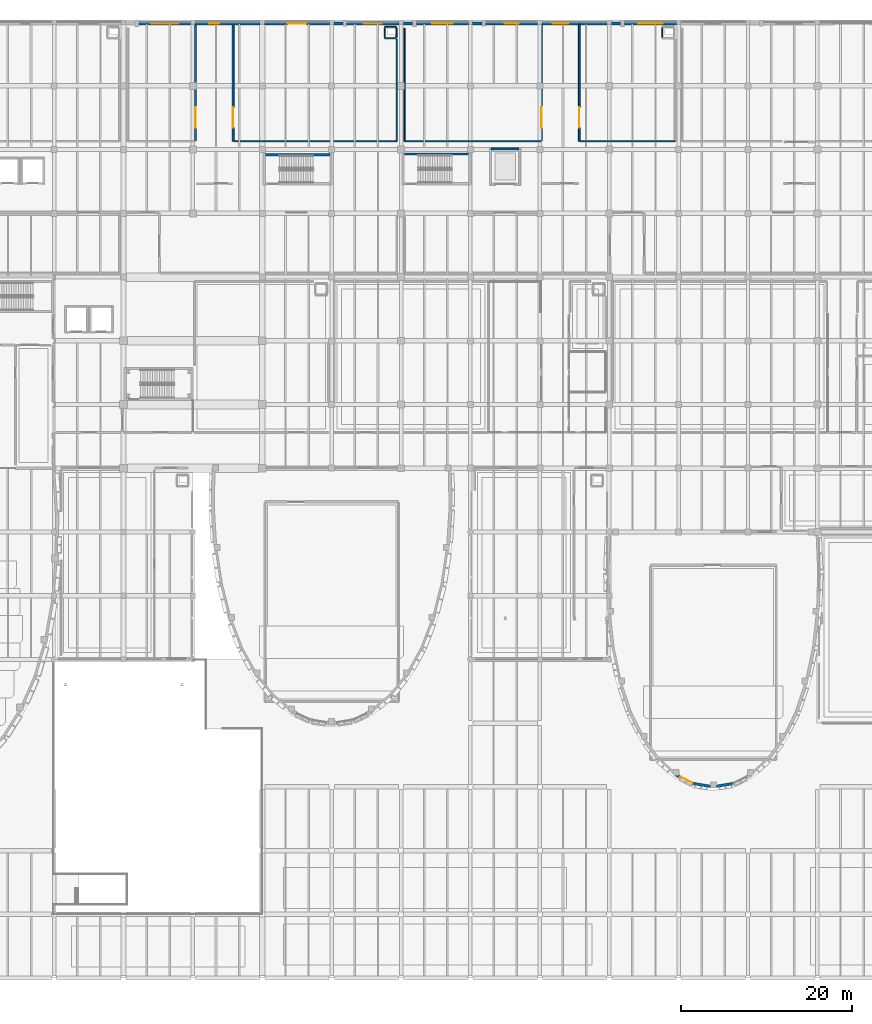
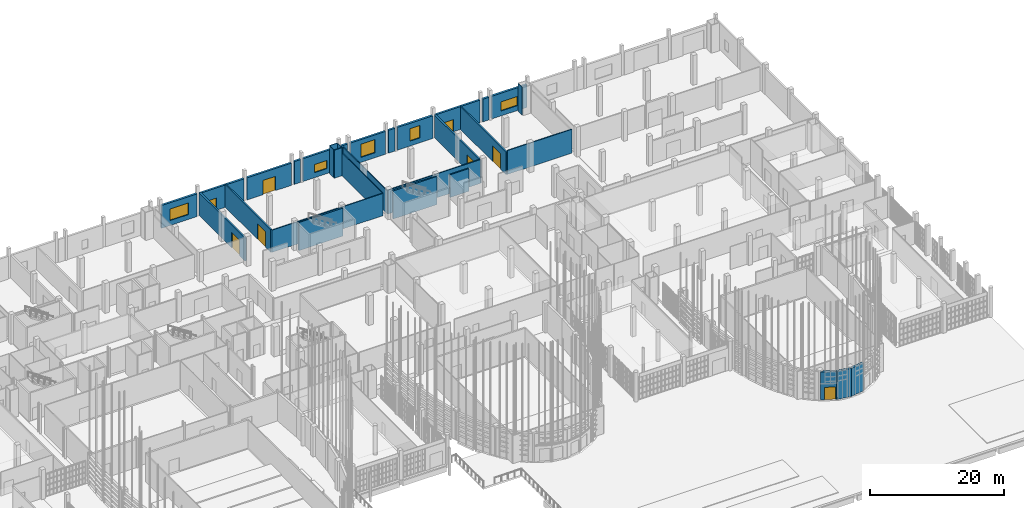
# One storey, part 357 of 372: 32 walls, 8 doors, 5 windows, 13 openings.
"""IFC4 building model written with IfcOpenShell, lengths in metres."""

from ifc_helpers import new_model, si_unit, direction, frame, frame_2d, origin, place, context, subcontext, project, spatial, rectangle, extrude, material, layer, layer_set, type_object, element, fill, save


model = new_model("IFC4")

# Units and contexts
model_context = context("Model", 3, precision=1e-05, world=origin(), true_north=direction((0.0, 1.0)))
body_context = subcontext(model_context, "Body", "Model", "MODEL_VIEW")
ifc_project = project(units=[si_unit("LENGTHUNIT", "METRE"), si_unit("AREAUNIT", "SQUARE_METRE"), si_unit("VOLUMEUNIT", "CUBIC_METRE"), si_unit("PLANEANGLEUNIT", "RADIAN"), si_unit("MASSUNIT", "GRAM", prefix="KILO")], contexts=[model_context])

# Site, building, storey
site_placement = place(None, origin())
site = spatial("IfcSite", under=ifc_project, at=site_placement, CompositionType="ELEMENT")
building_placement = place(site_placement, origin())
building = spatial("IfcBuilding", under=site, at=building_placement, Name="Kaelora Sail Theatre", CompositionType="ELEMENT")
storey_placement = place(building_placement, origin())
storey = spatial("IfcBuildingStorey", under=building, at=storey_placement, Name="L00", CompositionType="ELEMENT", Elevation=0.0)

# Walls
ifc_material_1 = material(Name="Concrete C40/50", Category="concrete")
ifc_layer_1 = layer(ifc_material_1, 0.25)
ifc_layer_set_1 = layer_set([ifc_layer_1], Name="Concrete C40/50")
wall_type_1 = type_object("IfcWallType", Name="ARC-WL-CW-250", PredefinedType="SHEAR", material=ifc_layer_set_1)
wall_1_placement = place(storey_placement, frame((82.85498046875, 97.625, 0.0), z_axis=(0.0, 0.0, 1.0), x_axis=(1.0, 0.0, 0.0)))
element("IfcWall", 1, at=wall_1_placement, inside=storey, type_object=wall_type_1, Name="Stair shaft ST-K3 wall L00-N", PredefinedType="SHEAR", context=body_context, shape_type="SweptSolid", body=[
    extrude(rectangle(XDim=7.5400390625, YDim=0.25, at=frame_2d((3.77001953125, 0.0))), origin(), (0.0, 0.0, 1.0), 5.10498046875),
])
wall_2_placement = place(storey_placement, frame((99.10498046875, 97.72509765625, 0.0), z_axis=(0.0, 0.0, 1.0), x_axis=(1.0, 0.0, 0.0)))
element("IfcWall", 2, at=wall_2_placement, inside=storey, type_object=wall_type_1, Name="Stair shaft ST-K4 wall L00-N", PredefinedType="SHEAR", context=body_context, shape_type="SweptSolid", body=[
    extrude(rectangle(XDim=7.489990234375, YDim=0.25, at=frame_2d((3.7451171875, 0.0))), origin(), (0.0, 0.0, 1.0), 5.10498046875),
])
ifc_material_2 = material(Name="Concrete C45/55", Category="concrete")
ifc_layer_2 = layer(ifc_material_2, 0.320068359375)
ifc_layer_set_2 = layer_set([ifc_layer_2], Name="Concrete C45/55")
wall_type_2 = type_object("IfcWallType", Name="ARC-WL-DW-320", PredefinedType="SHEAR", material=ifc_layer_set_2)
for number, where, z_axis, x_axis, name in (
    (3, (137.398193359375, 24.186279296875, 0.0), (0.0, 0.0, 1.0), (-0.986992640534, -0.160765442589, 0.0), "Black-Box and Experimental Sail Wing curved drum acoustic wall L00 chord 10"),
    (4, (135.14990234375, 23.820068359375, 0.0), (0.0, 0.0, 1.0), (-0.986992640534, 0.160765442589, 0.0), "Black-Box and Experimental Sail Wing curved drum acoustic wall L00 chord 11"),
):
    element("IfcWall", number, at=place(storey_placement, frame(where, z_axis=z_axis, x_axis=x_axis)), inside=storey, type_object=wall_type_2, Name=name, PredefinedType="SHEAR", context=body_context, shape_type="SweptSolid", body=[
        extrude(rectangle(XDim=2.27783203125, YDim=0.320068359375, at=frame_2d((1.138916015625, 0.0))), origin(), (0.0, 0.0, 1.0), 5.10498046875),
    ])

# Wall, opening, door
wall_3_placement = place(storey_placement, frame((132.901611328125, 24.186279296875, 0.0), z_axis=(0.0, 0.0, 1.0), x_axis=(-0.893337813511, 0.449385748495, 0.0)))
wall_3 = element("IfcWall", 5, at=wall_3_placement, inside=storey, type_object=wall_type_2, Name="Black-Box and Experimental Sail Wing curved drum acoustic wall L00 chord 12", PredefinedType="SHEAR", context=body_context, shape_type="SweptSolid", body=[
    extrude(rectangle(XDim=2.42626953125, YDim=0.320068359375, at=frame_2d((1.213134765625, 0.0))), origin(), (0.0, 0.0, 1.0), 5.10498046875),
])
opening_1_placement = place(wall_3_placement, frame((0.179931640625, 0.0, 0.0)))
opening_1 = element("IfcOpeningElement", 6, at=opening_1_placement, cuts=wall_3, Name="Opening ED-05", PredefinedType="OPENING", context=body_context, shape_type="SweptSolid", body=[
    extrude(rectangle(XDim=1.60009765625, YDim=2.300048828125, at=frame_2d((0.800048828125, 1.14990234375))), frame((0.0, 0.170156, 0.0), z_axis=(0.0, -1.0, 0.0), x_axis=(1.0, 0.0, 0.0)), (0.0, 0.0, 1.0), 0.340068),
])
ifc_material_3 = material(Name="Terrace glazed double swing door", Category="aluminium")
door_type_1 = type_object("IfcDoorType", Name="ARC-DR-ED-05", OperationType="NOTDEFINED", PredefinedType="DOOR", material=ifc_material_3)
door_1_placement = place(opening_1_placement, origin())
door_1 = element("IfcDoor", 7, at=door_1_placement, inside=storey, type_object=door_type_1, Name="Black-Box and Experimental Sail Wing plaza final exit door C12", OperationType="DOUBLE_DOOR_SINGLE_SWING", OverallHeight=2.300048828125, OverallWidth=1.60009765625, PredefinedType="DOOR", context=body_context, shape_type="SweptSolid", body=[
    extrude(rectangle(XDim=1.60009765625, YDim=2.300048828125, at=frame_2d((0.800048828125, 1.14990234375))), frame((0.0, 0.02490234375, 0.0), z_axis=(0.0, -1.0, 0.0), x_axis=(1.0, 0.0, 0.0)), (0.0, 0.0, 1.0), 0.050048828125),
])
fill(opening_1, door_1)

# Wall, opening, window
ifc_material_4 = material(Name="Concrete C45/55", Category="concrete")
ifc_layer_3 = layer(ifc_material_4, 0.35009765625)
ifc_layer_set_3 = layer_set([ifc_layer_3], Name="Concrete C45/55")
wall_type_3 = type_object("IfcWallType", Name="ARC-WL-EW-350", PredefinedType="SOLIDWALL", material=ifc_layer_set_3)
wall_4_placement = place(storey_placement, frame((68.080078125, 112.919921875, 0.0), z_axis=(0.0, 0.0, 1.0), x_axis=(1.0, 0.0, 0.0)))
wall_4 = element("IfcWall", 8, at=wall_4_placement, inside=storey, type_object=wall_type_3, Name="North Conservatory/Production Facade Wall L00 B09", PredefinedType="SOLIDWALL", context=body_context, shape_type="SweptSolid", body=[
    extrude(rectangle(XDim=6.06494140625, YDim=0.35009765625, at=frame_2d((3.032470703125, 0.0))), origin(), (0.0, 0.0, 1.0), 4.136962890625),
])
opening_2_placement = place(wall_4_placement, frame((1.431884765625, 0.0, 0.89990234375)))
opening_2 = element("IfcOpeningElement", 9, at=opening_2_placement, cuts=wall_4, Name="Opening W-27", PredefinedType="OPENING", context=body_context, shape_type="SweptSolid", body=[
    extrude(rectangle(XDim=3.199951171875, YDim=2.10009765625, at=frame_2d((1.60009765625, 1.050048828125))), frame((0.0, 0.185049, 0.0), z_axis=(0.0, -1.0, 0.0), x_axis=(1.0, 0.0, 0.0)), (0.0, 0.0, 1.0), 0.370098),
])
ifc_material_5 = material(Name="Thermally broken aluminium and low-E double glazing", Category="aluminium")
window_type_1 = type_object("IfcWindowType", Name="ARC-WIN-W-27", PartitioningType="SINGLE_PANEL", PredefinedType="WINDOW", material=ifc_material_5)
window_1_placement = place(opening_2_placement, origin())
window_1 = element("IfcWindow", 10, at=window_1_placement, inside=storey, type_object=window_type_1, Name="North facade window L00 B09", OverallHeight=2.10009765625, OverallWidth=3.199951171875, PartitioningType="SINGLE_PANEL", PredefinedType="WINDOW", context=body_context, shape_type="SweptSolid", body=[
    extrude(rectangle(XDim=3.199951171875, YDim=2.10009765625, at=frame_2d((1.60009765625, 1.050048828125))), frame((0.0, 0.030029296875, 0.0), z_axis=(0.0, -1.0, 0.0), x_axis=(1.0, 0.0, 0.0)), (0.0, 0.0, 1.0), 0.06005859375),
])
fill(opening_2, window_1)

# Wall, opening, door
wall_5_placement = place(storey_placement, frame((74.655029296875, 112.919921875, 0.0), z_axis=(0.0, 0.0, 1.0), x_axis=(1.0, 0.0, 0.0)))
wall_5 = element("IfcWall", 11, at=wall_5_placement, inside=storey, type_object=wall_type_3, Name="North Conservatory/Production Facade Wall L00 B10", PredefinedType="SOLIDWALL", context=body_context, shape_type="SweptSolid", body=[
    extrude(rectangle(XDim=7.590087890625, YDim=0.35009765625, at=frame_2d((3.794921875, 0.0))), origin(), (0.0, 0.0, 1.0), 4.037109375),
])
opening_3_placement = place(wall_5_placement, frame((1.64501953125, 0.0, 0.0)))
opening_3 = element("IfcOpeningElement", 12, at=opening_3_placement, cuts=wall_5, Name="Opening ED-04", PredefinedType="OPENING", context=body_context, shape_type="SweptSolid", body=[
    extrude(rectangle(XDim=1.199951171875, YDim=2.199951171875, at=frame_2d((0.60009765625, 1.10009765625))), frame((0.0, 0.185049, 0.0), z_axis=(0.0, -1.0, 0.0), x_axis=(1.0, 0.0, 0.0)), (0.0, 0.0, 1.0), 0.370098),
])
ifc_material_6 = material(Name="Terrace glazed single swing door", Category="aluminium")
door_type_2 = type_object("IfcDoorType", Name="ARC-DR-ED-04", OperationType="NOTDEFINED", PredefinedType="DOOR", material=ifc_material_6)
door_2_placement = place(opening_3_placement, origin())
door_2 = element("IfcDoor", 13, at=door_2_placement, inside=storey, type_object=door_type_2, Name="North protected final exit door B10", OperationType="SINGLE_SWING_RIGHT", OverallHeight=2.199951171875, OverallWidth=1.199951171875, PredefinedType="DOOR", context=body_context, shape_type="SweptSolid", body=[
    extrude(rectangle(XDim=1.199951171875, YDim=2.199951171875, at=frame_2d((0.60009765625, 1.10009765625))), frame((0.0, 0.02490234375, 0.0), z_axis=(0.0, -1.0, 0.0), x_axis=(1.0, 0.0, 0.0)), (0.0, 0.0, 1.0), 0.050048828125),
])
fill(opening_3, door_2)

wall_6_placement = place(storey_placement, frame((82.7548828125, 112.919921875, 0.0), z_axis=(0.0, 0.0, 1.0), x_axis=(1.0, 0.0, 0.0)))
wall_6 = element("IfcWall", 14, at=wall_6_placement, inside=storey, type_object=wall_type_3, Name="North Conservatory/Production Facade Wall L00 B11", PredefinedType="SOLIDWALL", context=body_context, shape_type="SweptSolid", body=[
    extrude(rectangle(XDim=7.590087890625, YDim=0.35009765625, at=frame_2d((3.794921875, 0.0))), origin(), (0.0, 0.0, 1.0), 4.037109375),
])
opening_4_placement = place(wall_6_placement, frame((2.695068359375, 0.0, 0.0)))
opening_4 = element("IfcOpeningElement", 15, at=opening_4_placement, cuts=wall_6, Name="Opening ED-01", PredefinedType="OPENING", context=body_context, shape_type="SweptSolid", body=[
    extrude(rectangle(XDim=2.199951171875, YDim=2.60009765625, at=frame_2d((1.10009765625, 1.300048828125))), frame((0.0, 0.185049, 0.0), z_axis=(0.0, -1.0, 0.0), x_axis=(1.0, 0.0, 0.0)), (0.0, 0.0, 1.0), 0.370098),
])
ifc_material_7 = material(Name="Aluminium glazed double plaza entrance door", Category="aluminium")
door_type_3 = type_object("IfcDoorType", Name="ARC-DR-ED-01", OperationType="NOTDEFINED", PredefinedType="DOOR", material=ifc_material_7)
door_3_placement = place(opening_4_placement, origin())
door_3 = element("IfcDoor", 16, at=door_3_placement, inside=storey, type_object=door_type_3, Name="North protected final exit door B11", OperationType="DOUBLE_DOOR_SINGLE_SWING", OverallHeight=2.60009765625, OverallWidth=2.199951171875, PredefinedType="DOOR", context=body_context, shape_type="SweptSolid", body=[
    extrude(rectangle(XDim=2.199951171875, YDim=2.60009765625, at=frame_2d((1.10009765625, 1.300048828125))), frame((0.0, 0.02490234375, 0.0), z_axis=(0.0, -1.0, 0.0), x_axis=(1.0, 0.0, 0.0)), (0.0, 0.0, 1.0), 0.050048828125),
])
fill(opening_4, door_3)

# Wall, opening, window
wall_7_placement = place(storey_placement, frame((92.35498046875, 112.919921875, 0.0), z_axis=(0.0, 0.0, 1.0), x_axis=(1.0, 0.0, 0.0)))
wall_7 = element("IfcWall", 17, at=wall_7_placement, inside=storey, type_object=wall_type_3, Name="North Conservatory/Production Facade Wall L00 B12", PredefinedType="SOLIDWALL", context=body_context, shape_type="SweptSolid", body=[
    extrude(rectangle(XDim=6.090087890625, YDim=0.35009765625, at=frame_2d((3.044921875, 0.0))), origin(), (0.0, 0.0, 1.0), 4.136962890625),
])
opening_5_placement = place(wall_7_placement, frame((1.9951171875, 0.0, 0.89990234375)))
opening_5 = element("IfcOpeningElement", 18, at=opening_5_placement, cuts=wall_7, Name="Opening W-06", PredefinedType="OPENING", context=body_context, shape_type="SweptSolid", body=[
    extrude(rectangle(XDim=2.10009765625, YDim=1.5, at=frame_2d((1.050048828125, 0.75))), frame((0.0, 0.185049, 0.0), z_axis=(0.0, -1.0, 0.0), x_axis=(1.0, 0.0, 0.0)), (0.0, 0.0, 1.0), 0.370098),
])
ifc_material_8 = material(Name="Thermally broken aluminium and low-E double glazing", Category="aluminium")
window_type_2 = type_object("IfcWindowType", Name="ARC-WIN-W-06", PartitioningType="SINGLE_PANEL", PredefinedType="WINDOW", material=ifc_material_8)
window_2_placement = place(opening_5_placement, origin())
window_2 = element("IfcWindow", 19, at=window_2_placement, inside=storey, type_object=window_type_2, Name="North facade window L00 B12", OverallHeight=1.5, OverallWidth=2.10009765625, PartitioningType="SINGLE_PANEL", PredefinedType="WINDOW", context=body_context, shape_type="SweptSolid", body=[
    extrude(rectangle(XDim=2.10009765625, YDim=1.5, at=frame_2d((1.050048828125, 0.75))), frame((0.0, 0.030029296875, 0.0), z_axis=(0.0, -1.0, 0.0), x_axis=(1.0, 0.0, 0.0)), (0.0, 0.0, 1.0), 0.06005859375),
])
fill(opening_5, window_2)

# Wall
wall_8_placement = place(storey_placement, frame((90.85498046875, 112.919921875, 0.0), z_axis=(0.0, 0.0, 1.0), x_axis=(1.0, 0.0, 0.0)))
element("IfcWall", 20, at=wall_8_placement, inside=storey, type_object=wall_type_3, Name="North Facade Pilaster Spandrel Pier L00 B12", PredefinedType="SOLIDWALL", context=body_context, shape_type="SweptSolid", body=[
    extrude(rectangle(XDim=1.090087890625, YDim=0.35009765625, at=frame_2d((0.544921875, 0.0))), origin(), (0.0, 0.0, 1.0), 4.136962890625),
])

# Wall, opening, window
wall_9_placement = place(storey_placement, frame((100.47998046875, 112.919921875, 0.0), z_axis=(0.0, 0.0, 1.0), x_axis=(1.0, 0.0, 0.0)))
wall_9 = element("IfcWall", 21, at=wall_9_placement, inside=storey, type_object=wall_type_3, Name="North Conservatory/Production Facade Wall L00 B13", PredefinedType="SOLIDWALL", context=body_context, shape_type="SweptSolid", body=[
    extrude(rectangle(XDim=6.06494140625, YDim=0.35009765625, at=frame_2d((3.032470703125, 0.0))), origin(), (0.0, 0.0, 1.0), 4.136962890625),
])
opening_6_placement = place(wall_9_placement, frame((1.83203125, 0.0, 0.89990234375)))
opening_6 = element("IfcOpeningElement", 22, at=opening_6_placement, cuts=wall_9, Name="Opening W-09", PredefinedType="OPENING", context=body_context, shape_type="SweptSolid", body=[
    extrude(rectangle(XDim=2.39990234375, YDim=2.39990234375, at=frame_2d((1.199951171875, 1.199951171875))), frame((0.0, 0.185049, 0.0), z_axis=(0.0, -1.0, 0.0), x_axis=(1.0, 0.0, 0.0)), (0.0, 0.0, 1.0), 0.370098),
])
ifc_material_9 = material(Name="Thermally broken aluminium and low-E double glazing", Category="aluminium")
window_type_3 = type_object("IfcWindowType", Name="ARC-WIN-W-09", PartitioningType="SINGLE_PANEL", PredefinedType="WINDOW", material=ifc_material_9)
window_3_placement = place(opening_6_placement, origin())
window_3 = element("IfcWindow", 23, at=window_3_placement, inside=storey, type_object=window_type_3, Name="North facade window L00 B13", OverallHeight=2.39990234375, OverallWidth=2.39990234375, PartitioningType="SINGLE_PANEL", PredefinedType="WINDOW", context=body_context, shape_type="SweptSolid", body=[
    extrude(rectangle(XDim=2.39990234375, YDim=2.39990234375, at=frame_2d((1.199951171875, 1.199951171875))), frame((0.0, 0.030029296875, 0.0), z_axis=(0.0, -1.0, 0.0), x_axis=(1.0, 0.0, 0.0)), (0.0, 0.0, 1.0), 0.06005859375),
])
fill(opening_6, window_3)

# Wall
wall_10_placement = place(storey_placement, frame((98.955078125, 112.919921875, 0.0), z_axis=(0.0, 0.0, 1.0), x_axis=(1.0, 0.0, 0.0)))
element("IfcWall", 24, at=wall_10_placement, inside=storey, type_object=wall_type_3, Name="North Facade Pilaster Spandrel Pier L00 B13", PredefinedType="SOLIDWALL", context=body_context, shape_type="SweptSolid", body=[
    extrude(rectangle(XDim=1.06494140625, YDim=0.35009765625, at=frame_2d((0.532470703125, 0.0))), origin(), (0.0, 0.0, 1.0), 4.136962890625),
])

# Wall, opening, window
wall_11_placement = place(storey_placement, frame((108.554931640625, 112.919921875, 0.0), z_axis=(0.0, 0.0, 1.0), x_axis=(1.0, 0.0, 0.0)))
wall_11 = element("IfcWall", 25, at=wall_11_placement, inside=storey, type_object=wall_type_3, Name="North Conservatory/Production Facade Wall L00 B14", PredefinedType="SOLIDWALL", context=body_context, shape_type="SweptSolid", body=[
    extrude(rectangle(XDim=6.090087890625, YDim=0.35009765625, at=frame_2d((3.044921875, 0.0))), origin(), (0.0, 0.0, 1.0), 4.136962890625),
])
opening_7_placement = place(wall_11_placement, frame((2.219970703125, 0.0, 0.89990234375)))
opening_7 = element("IfcOpeningElement", 26, at=opening_7_placement, cuts=wall_11, Name="Opening W-14", PredefinedType="OPENING", context=body_context, shape_type="SweptSolid", body=[
    extrude(rectangle(XDim=1.64990234375, YDim=2.25, at=frame_2d((0.824951171875, 1.125))), frame((0.0, 0.185049, 0.0), z_axis=(0.0, -1.0, 0.0), x_axis=(1.0, 0.0, 0.0)), (0.0, 0.0, 1.0), 0.370098),
])
ifc_material_10 = material(Name="Thermally broken aluminium and low-E double glazing", Category="aluminium")
window_type_4 = type_object("IfcWindowType", Name="ARC-WIN-W-14", PartitioningType="SINGLE_PANEL", PredefinedType="WINDOW", material=ifc_material_10)
window_4_placement = place(opening_7_placement, origin())
window_4 = element("IfcWindow", 27, at=window_4_placement, inside=storey, type_object=window_type_4, Name="North facade window L00 B14", OverallHeight=2.25, OverallWidth=1.64990234375, PartitioningType="SINGLE_PANEL", PredefinedType="WINDOW", context=body_context, shape_type="SweptSolid", body=[
    extrude(rectangle(XDim=1.64990234375, YDim=2.25, at=frame_2d((0.824951171875, 1.125))), frame((0.0, 0.030029296875, 0.0), z_axis=(0.0, -1.0, 0.0), x_axis=(1.0, 0.0, 0.0)), (0.0, 0.0, 1.0), 0.06005859375),
])
fill(opening_7, window_4)

# Wall
wall_12_placement = place(storey_placement, frame((107.054931640625, 112.919921875, 0.0), z_axis=(0.0, 0.0, 1.0), x_axis=(1.0, 0.0, 0.0)))
element("IfcWall", 28, at=wall_12_placement, inside=storey, type_object=wall_type_3, Name="North Facade Pilaster Spandrel Pier L00 B14", PredefinedType="SOLIDWALL", context=body_context, shape_type="SweptSolid", body=[
    extrude(rectangle(XDim=1.090087890625, YDim=0.35009765625, at=frame_2d((0.544921875, 0.0))), origin(), (0.0, 0.0, 1.0), 4.136962890625),
])

# Wall, opening, door
wall_13_placement = place(storey_placement, frame((115.155029296875, 112.919921875, 0.0), z_axis=(0.0, 0.0, 1.0), x_axis=(1.0, 0.0, 0.0)))
wall_13 = element("IfcWall", 29, at=wall_13_placement, inside=storey, type_object=wall_type_3, Name="North Conservatory/Production Facade Wall L00 B15", PredefinedType="SOLIDWALL", context=body_context, shape_type="SweptSolid", body=[
    extrude(rectangle(XDim=7.590087890625, YDim=0.35009765625, at=frame_2d((3.794921875, 0.0))), origin(), (0.0, 0.0, 1.0), 4.136962890625),
])
opening_8_placement = place(wall_13_placement, frame((1.2451171875, 0.0, 0.0)))
opening_8 = element("IfcOpeningElement", 30, at=opening_8_placement, cuts=wall_13, Name="Opening ED-06", PredefinedType="OPENING", context=body_context, shape_type="SweptSolid", body=[
    extrude(rectangle(XDim=1.800048828125, YDim=2.199951171875, at=frame_2d((0.89990234375, 1.10009765625))), frame((0.0, 0.185049, 0.0), z_axis=(0.0, -1.0, 0.0), x_axis=(1.0, 0.0, 0.0)), (0.0, 0.0, 1.0), 0.370098),
])
ifc_material_11 = material(Name="Acoustic steel double final-exit panic door", Category="steel")
door_type_4 = type_object("IfcDoorType", Name="ARC-DR-ED-06", OperationType="NOTDEFINED", PredefinedType="DOOR", material=ifc_material_11)
door_4_placement = place(opening_8_placement, origin())
door_4 = element("IfcDoor", 31, at=door_4_placement, inside=storey, type_object=door_type_4, Name="North protected final exit door B15", OperationType="DOUBLE_DOOR_SINGLE_SWING", OverallHeight=2.199951171875, OverallWidth=1.800048828125, PredefinedType="DOOR", context=body_context, shape_type="SweptSolid", body=[
    extrude(rectangle(XDim=1.800048828125, YDim=2.199951171875, at=frame_2d((0.89990234375, 1.10009765625))), frame((0.0, 0.02490234375, 0.0), z_axis=(0.0, -1.0, 0.0), x_axis=(1.0, 0.0, 0.0)), (0.0, 0.0, 1.0), 0.050048828125),
])
fill(opening_8, door_4)

# Wall, opening, window
wall_14_placement = place(storey_placement, frame((124.780029296875, 112.919921875, 0.0), z_axis=(0.0, 0.0, 1.0), x_axis=(1.0, 0.0, 0.0)))
wall_14 = element("IfcWall", 32, at=wall_14_placement, inside=storey, type_object=wall_type_3, Name="North Conservatory/Production Facade Wall L00 B16", PredefinedType="SOLIDWALL", context=body_context, shape_type="SweptSolid", body=[
    extrude(rectangle(XDim=6.06494140625, YDim=0.35009765625, at=frame_2d((3.032470703125, 0.0))), origin(), (0.0, 0.0, 1.0), 4.136962890625),
])
opening_9_placement = place(wall_14_placement, frame((1.60693359375, 0.0, 0.89990234375)))
opening_9 = element("IfcOpeningElement", 33, at=opening_9_placement, cuts=wall_14, Name="Opening W-20", PredefinedType="OPENING", context=body_context, shape_type="SweptSolid", body=[
    extrude(rectangle(XDim=2.85009765625, YDim=1.64990234375, at=frame_2d((1.425048828125, 0.824951171875))), frame((0.0, 0.185049, 0.0), z_axis=(0.0, -1.0, 0.0), x_axis=(1.0, 0.0, 0.0)), (0.0, 0.0, 1.0), 0.370098),
])
ifc_material_12 = material(Name="Thermally broken aluminium and low-E double glazing", Category="aluminium")
window_type_5 = type_object("IfcWindowType", Name="ARC-WIN-W-20", PartitioningType="SINGLE_PANEL", PredefinedType="WINDOW", material=ifc_material_12)
window_5_placement = place(opening_9_placement, origin())
window_5 = element("IfcWindow", 34, at=window_5_placement, inside=storey, type_object=window_type_5, Name="North facade window L00 B16", OverallHeight=1.64990234375, OverallWidth=2.85009765625, PartitioningType="SINGLE_PANEL", PredefinedType="WINDOW", context=body_context, shape_type="SweptSolid", body=[
    extrude(rectangle(XDim=2.85009765625, YDim=1.64990234375, at=frame_2d((1.425048828125, 0.824951171875))), frame((0.0, 0.030029296875, 0.0), z_axis=(0.0, -1.0, 0.0), x_axis=(1.0, 0.0, 0.0)), (0.0, 0.0, 1.0), 0.06005859375),
])
fill(opening_9, window_5)

# Walls
wall_15_placement = place(storey_placement, frame((123.2548828125, 112.919921875, 0.0), z_axis=(0.0, 0.0, 1.0), x_axis=(1.0, 0.0, 0.0)))
element("IfcWall", 35, at=wall_15_placement, inside=storey, type_object=wall_type_3, Name="North Facade Pilaster Spandrel Pier L00 B16", PredefinedType="SOLIDWALL", context=body_context, shape_type="SweptSolid", body=[
    extrude(rectangle(XDim=1.065185546875, YDim=0.35009765625, at=frame_2d((0.53271484375, 0.0))), origin(), (0.0, 0.0, 1.0), 4.136962890625),
])
ifc_material_13 = material(Name="Standard metal-stud partition 120 mm", Category="gypsum")
ifc_layer_4 = layer(ifc_material_13, 0.1201171875)
ifc_layer_set_4 = layer_set([ifc_layer_4], Name="Standard metal-stud partition 120 mm")
wall_type_4 = type_object("IfcWallType", Name="ARC-WL-PT-120", PredefinedType="PARTITIONING", material=ifc_layer_set_4)
for number, where, z_axis, x_axis, name in (
    (36, (96.804931640625, 111.219970703125, 0.0), (0.0, 0.0, 1.0), (1.0, 0.0, 0.0), "MEP riser shaft wall NW3-L00-S"),
    (37, (96.804931640625, 112.580078125, 0.0), (0.0, 0.0, 1.0), (1.0, 0.0, 0.0), "MEP riser shaft wall NW3-L00-N"),
):
    element("IfcWall", number, at=place(storey_placement, frame(where, z_axis=z_axis, x_axis=x_axis)), inside=storey, type_object=wall_type_4, Name=name, PredefinedType="PARTITIONING", context=body_context, shape_type="SweptSolid", body=[
        extrude(rectangle(XDim=1.360107421875, YDim=0.1201171875, at=frame_2d((0.68017578125, 0.0))), origin(), (0.0, 0.0, 1.0), 5.0849609375),
    ])
for number, where, z_axis, x_axis, name in (
    (38, (96.804931640625, 111.340087890625, 0.0), (0.0, 0.0, 1.0), (0.0, 1.0, 0.0), "MEP riser shaft wall NW3-L00-W"),
    (39, (98.1650390625, 111.340087890625, 0.0), (0.0, 0.0, 1.0), (0.0, 1.0, 0.0), "MEP riser shaft wall NW3-L00-E"),
    (40, (129.205078125, 111.340087890625, 0.0), (0.0, 0.0, 1.0), (0.0, 1.0, 0.0), "MEP riser shaft wall NW4-L00-W"),
):
    element("IfcWall", number, at=place(storey_placement, frame(where, z_axis=z_axis, x_axis=x_axis)), inside=storey, type_object=wall_type_4, Name=name, PredefinedType="PARTITIONING", context=body_context, shape_type="SweptSolid", body=[
        extrude(rectangle(XDim=1.119873046875, YDim=0.1201171875, at=frame_2d((0.56005859375, 0.0))), origin(), (0.0, 0.0, 1.0), 5.0849609375),
    ])
ifc_material_14 = material(Name="Acoustic metal-stud plasterboard 160 mm", Category="gypsum")
ifc_layer_5 = layer(ifc_material_14, 0.159912109375)
ifc_layer_set_5 = layer_set([ifc_layer_5], Name="Acoustic metal-stud plasterboard 160 mm")
wall_type_5 = type_object("IfcWallType", Name="ARC-WL-PT-160", PredefinedType="PARTITIONING", material=ifc_layer_set_5)
wall_16_placement = place(storey_placement, frame((79.199951171875, 99.199951171875, 0.0), z_axis=(0.0, 0.0, 1.0), x_axis=(1.0, 0.0, 0.0)))
element("IfcWall", 41, at=wall_16_placement, inside=storey, type_object=wall_type_5, Name="Room enclosure wall L00-CARP-SHOP-S1", PredefinedType="PARTITIONING", context=body_context, shape_type="SweptSolid", body=[
    extrude(rectangle(XDim=19.0, YDim=0.159912109375, at=frame_2d((9.5, 0.0))), origin(), (0.0, 0.0, 1.0), 4.037109375),
])
wall_17_placement = place(storey_placement, frame((98.199951171875, 99.199951171875, 0.0), z_axis=(0.0, 0.0, 1.0), x_axis=(0.0, 1.0, 0.0)))
element("IfcWall", 42, at=wall_17_placement, inside=storey, type_object=wall_type_5, Name="Room enclosure wall L00-CARP-SHOP-E1", PredefinedType="PARTITIONING", context=body_context, shape_type="SweptSolid", body=[
    extrude(rectangle(XDim=11.89013671875, YDim=0.159912109375, at=frame_2d((5.945068359375, 0.0))), origin(), (0.0, 0.0, 1.0), 4.136962890625),
])
wall_18_placement = place(storey_placement, frame((99.10009765625, 99.199951171875, 0.0), z_axis=(0.0, 0.0, 1.0), x_axis=(1.0, 0.0, 0.0)))
element("IfcWall", 43, at=wall_18_placement, inside=storey, type_object=wall_type_5, Name="Room enclosure wall L00-METAL-SHOP-S1", PredefinedType="PARTITIONING", context=body_context, shape_type="SweptSolid", body=[
    extrude(rectangle(XDim=15.89990234375, YDim=0.159912109375, at=frame_2d((7.949951171875, 0.0))), origin(), (0.0, 0.0, 1.0), 4.3369140625),
])
wall_19_placement = place(storey_placement, frame((99.10009765625, 99.199951171875, 0.0), z_axis=(0.0, 0.0, 1.0), x_axis=(0.0, 1.0, 0.0)))
element("IfcWall", 44, at=wall_19_placement, inside=storey, type_object=wall_type_5, Name="Room enclosure wall L00-METAL-SHOP-W1", PredefinedType="PARTITIONING", context=body_context, shape_type="SweptSolid", body=[
    extrude(rectangle(XDim=13.199951171875, YDim=0.159912109375, at=frame_2d((6.60009765625, 0.0))), origin(), (0.0, 0.0, 1.0), 4.136962890625),
])
wall_20_placement = place(storey_placement, frame((119.60009765625, 99.199951171875, 0.0), z_axis=(0.0, 0.0, 1.0), x_axis=(1.0, 0.0, 0.0)))
element("IfcWall", 45, at=wall_20_placement, inside=storey, type_object=wall_type_5, Name="Room enclosure wall L00-SCENIC-ENG-S1", PredefinedType="PARTITIONING", context=body_context, shape_type="SweptSolid", body=[
    extrude(rectangle(XDim=11.099853515625, YDim=0.159912109375, at=frame_2d((5.5498046875, 0.0))), origin(), (0.0, 0.0, 1.0), 4.3369140625),
])

# Wall, opening, door
ifc_material_15 = material(Name="Concrete C40/50", Category="concrete")
ifc_layer_6 = layer(ifc_material_15, 0.22998046875)
ifc_layer_set_6 = layer_set([ifc_layer_6], Name="Concrete C40/50")
wall_type_6 = type_object("IfcWallType", Name="ARC-WL-PW-230", PredefinedType="SOLIDWALL", material=ifc_layer_set_6)
wall_21_placement = place(storey_placement, frame((79.10009765625, 99.199951171875, 0.0), z_axis=(0.0, 0.0, 1.0), x_axis=(0.0, 1.0, 0.0)))
wall_21 = element("IfcWall", 46, at=wall_21_placement, inside=storey, type_object=wall_type_6, Name="Interior acoustic partition L00-COR-SP3/L00-CARP-SHOP", PredefinedType="SOLIDWALL", context=body_context, shape_type="SweptSolid", body=[
    extrude(rectangle(XDim=13.64013671875, YDim=0.22998046875, at=frame_2d((6.820068359375, 0.0))), origin(), (0.0, 0.0, 1.0), 4.136962890625),
])
opening_10_placement = place(wall_21_placement, frame((1.568115234375, 0.0, 0.0)))
opening_10 = element("IfcOpeningElement", 47, at=opening_10_placement, cuts=wall_21, Name="Opening ID-05", PredefinedType="OPENING", context=body_context, shape_type="SweptSolid", body=[
    extrude(rectangle(XDim=2.39990234375, YDim=2.800048828125, at=frame_2d((1.199951171875, 1.39990234375))), frame((0.0, 0.12499, 0.0), z_axis=(0.0, -1.0, 0.0), x_axis=(1.0, 0.0, 0.0)), (0.0, 0.0, 1.0), 0.24998),
])
ifc_material_16 = material(Name="Scenery workshop oversize acoustic double door", Category="steel")
door_type_5 = type_object("IfcDoorType", Name="ARC-DR-ID-05", OperationType="NOTDEFINED", PredefinedType="DOOR", material=ifc_material_16)
door_5_placement = place(opening_10_placement, origin())
door_5 = element("IfcDoor", 48, at=door_5_placement, inside=storey, type_object=door_type_5, Name="Interior door L00-COR-SP3 to L00-CARP-SHOP", OperationType="DOUBLE_DOOR_SINGLE_SWING", OverallHeight=2.800048828125, OverallWidth=2.39990234375, PredefinedType="DOOR", context=body_context, shape_type="SweptSolid", body=[
    extrude(rectangle(XDim=2.39990234375, YDim=2.800048828125, at=frame_2d((1.199951171875, 1.39990234375))), frame((0.0, 0.02490234375, 0.0), z_axis=(0.0, -1.0, 0.0), x_axis=(1.0, 0.0, 0.0)), (0.0, 0.0, 1.0), 0.050048828125),
])
fill(opening_10, door_5)

wall_22_placement = place(storey_placement, frame((119.5, 99.199951171875, 0.0), z_axis=(0.0, 0.0, 1.0), x_axis=(0.0, 1.0, 0.0)))
wall_22 = element("IfcWall", 49, at=wall_22_placement, inside=storey, type_object=wall_type_6, Name="Interior acoustic partition L00-COR-SP4/L00-SCENIC-ENG", PredefinedType="SOLIDWALL", context=body_context, shape_type="SweptSolid", body=[
    extrude(rectangle(XDim=13.64013671875, YDim=0.22998046875, at=frame_2d((6.820068359375, 0.0))), origin(), (0.0, 0.0, 1.0), 4.136962890625),
])
opening_11_placement = place(wall_22_placement, frame((1.568115234375, 0.0, 0.0)))
opening_11 = element("IfcOpeningElement", 50, at=opening_11_placement, cuts=wall_22, Name="Opening ID-05", PredefinedType="OPENING", context=body_context, shape_type="SweptSolid", body=[
    extrude(rectangle(XDim=2.39990234375, YDim=2.800048828125, at=frame_2d((1.199951171875, 1.39990234375))), frame((0.0, 0.12499, 0.0), z_axis=(0.0, -1.0, 0.0), x_axis=(1.0, 0.0, 0.0)), (0.0, 0.0, 1.0), 0.24998),
])
door_6_placement = place(opening_11_placement, origin())
door_6 = element("IfcDoor", 51, at=door_6_placement, inside=storey, type_object=door_type_5, Name="Interior door L00-COR-SP4 to L00-SCENIC-ENG", OperationType="DOUBLE_DOOR_SINGLE_SWING", OverallHeight=2.800048828125, OverallWidth=2.39990234375, PredefinedType="DOOR", context=body_context, shape_type="SweptSolid", body=[
    extrude(rectangle(XDim=2.39990234375, YDim=2.800048828125, at=frame_2d((1.199951171875, 1.39990234375))), frame((0.0, 0.02490234375, 0.0), z_axis=(0.0, -1.0, 0.0), x_axis=(1.0, 0.0, 0.0)), (0.0, 0.0, 1.0), 0.050048828125),
])
fill(opening_11, door_6)

ifc_material_17 = material(Name="Concrete C45/55", Category="concrete")
ifc_layer_7 = layer(ifc_material_17, 0.27001953125)
ifc_layer_set_7 = layer_set([ifc_layer_7], Name="Concrete C45/55")
wall_type_7 = type_object("IfcWallType", Name="ARC-WL-PW-270", PredefinedType="SOLIDWALL", material=ifc_layer_set_7)
wall_23_placement = place(storey_placement, frame((74.699951171875, 99.199951171875, 0.0), z_axis=(0.0, 0.0, 1.0), x_axis=(0.0, 1.0, 0.0)))
wall_23 = element("IfcWall", 52, at=wall_23_placement, inside=storey, type_object=wall_type_7, Name="Interior acoustic partition L00-COR-SP3/L00-CARP-W", PredefinedType="SOLIDWALL", context=body_context, shape_type="SweptSolid", body=[
    extrude(rectangle(XDim=13.64013671875, YDim=0.27001953125, at=frame_2d((6.820068359375, 0.0))), origin(), (0.0, 0.0, 1.0), 4.136962890625),
])
opening_12_placement = place(wall_23_placement, frame((1.568115234375, 0.0, 0.0)))
opening_12 = element("IfcOpeningElement", 53, at=opening_12_placement, cuts=wall_23, Name="Opening ID-05", PredefinedType="OPENING", context=body_context, shape_type="SweptSolid", body=[
    extrude(rectangle(XDim=2.39990234375, YDim=2.800048828125, at=frame_2d((1.199951171875, 1.39990234375))), frame((0.0, 0.14501, 0.0), z_axis=(0.0, -1.0, 0.0), x_axis=(1.0, 0.0, 0.0)), (0.0, 0.0, 1.0), 0.29002),
])
door_7_placement = place(opening_12_placement, origin())
door_7 = element("IfcDoor", 54, at=door_7_placement, inside=storey, type_object=door_type_5, Name="Interior door L00-COR-SP3 to L00-CARP-W", OperationType="DOUBLE_DOOR_SINGLE_SWING", OverallHeight=2.800048828125, OverallWidth=2.39990234375, PredefinedType="DOOR", context=body_context, shape_type="SweptSolid", body=[
    extrude(rectangle(XDim=2.39990234375, YDim=2.800048828125, at=frame_2d((1.199951171875, 1.39990234375))), frame((0.0, 0.02490234375, 0.0), z_axis=(0.0, -1.0, 0.0), x_axis=(1.0, 0.0, 0.0)), (0.0, 0.0, 1.0), 0.050048828125),
])
fill(opening_12, door_7)

wall_24_placement = place(storey_placement, frame((115.10009765625, 99.199951171875, 0.0), z_axis=(0.0, 0.0, 1.0), x_axis=(0.0, 1.0, 0.0)))
wall_24 = element("IfcWall", 55, at=wall_24_placement, inside=storey, type_object=wall_type_7, Name="Interior acoustic partition L00-COR-SP4/L00-METAL-SHOP", PredefinedType="SOLIDWALL", context=body_context, shape_type="SweptSolid", body=[
    extrude(rectangle(XDim=13.64013671875, YDim=0.27001953125, at=frame_2d((6.820068359375, 0.0))), origin(), (0.0, 0.0, 1.0), 4.136962890625),
])
opening_13_placement = place(wall_24_placement, frame((1.568115234375, 0.0, 0.0)))
opening_13 = element("IfcOpeningElement", 56, at=opening_13_placement, cuts=wall_24, Name="Opening ID-05", PredefinedType="OPENING", context=body_context, shape_type="SweptSolid", body=[
    extrude(rectangle(XDim=2.39990234375, YDim=2.800048828125, at=frame_2d((1.199951171875, 1.39990234375))), frame((0.0, 0.14501, 0.0), z_axis=(0.0, -1.0, 0.0), x_axis=(1.0, 0.0, 0.0)), (0.0, 0.0, 1.0), 0.29002),
])
door_8_placement = place(opening_13_placement, origin())
door_8 = element("IfcDoor", 57, at=door_8_placement, inside=storey, type_object=door_type_5, Name="Interior door L00-COR-SP4 to L00-METAL-SHOP", OperationType="DOUBLE_DOOR_SINGLE_SWING", OverallHeight=2.800048828125, OverallWidth=2.39990234375, PredefinedType="DOOR", context=body_context, shape_type="SweptSolid", body=[
    extrude(rectangle(XDim=2.39990234375, YDim=2.800048828125, at=frame_2d((1.199951171875, 1.39990234375))), frame((0.0, 0.02490234375, 0.0), z_axis=(0.0, -1.0, 0.0), x_axis=(1.0, 0.0, 0.0)), (0.0, 0.0, 1.0), 0.050048828125),
])
fill(opening_13, door_8)

# Wall
ifc_material_18 = material(Name="Concrete C40/50", Category="concrete")
ifc_layer_8 = layer(ifc_material_18, 0.219970703125)
ifc_layer_set_8 = layer_set([ifc_layer_8], Name="Concrete C40/50")
wall_type_8 = type_object("IfcWallType", Name="ARC-WL-SW-220", PredefinedType="SOLIDWALL", material=ifc_layer_set_8)
wall_25_placement = place(storey_placement, frame((109.25, 98.31005859375, 0.0), z_axis=(0.0, 0.0, 1.0), x_axis=(1.0, 0.0, 0.0)))
element("IfcWall", 58, at=wall_25_placement, inside=storey, type_object=wall_type_8, Name="Lift GL-01 shaft wall L00-N", PredefinedType="SOLIDWALL", context=body_context, shape_type="SweptSolid", body=[
    extrude(rectangle(XDim=3.199951171875, YDim=0.219970703125, at=frame_2d((1.60009765625, 0.0))), origin(), (0.0, 0.0, 1.0), 4.136962890625),
])

save(model, "model.ifc")
